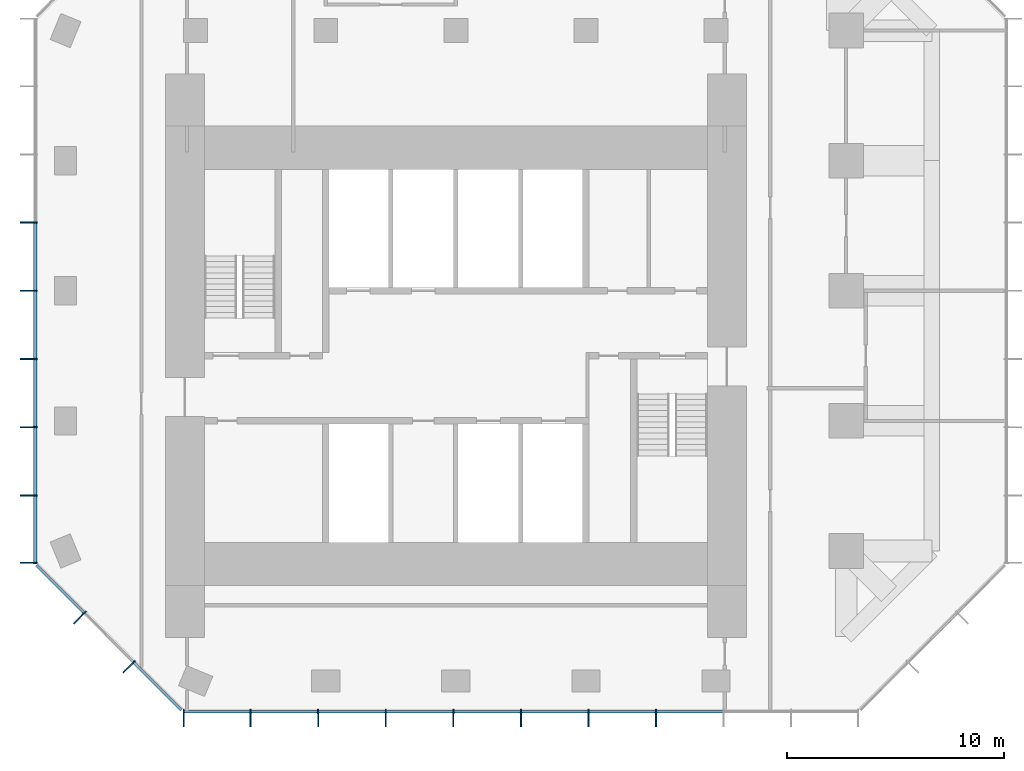
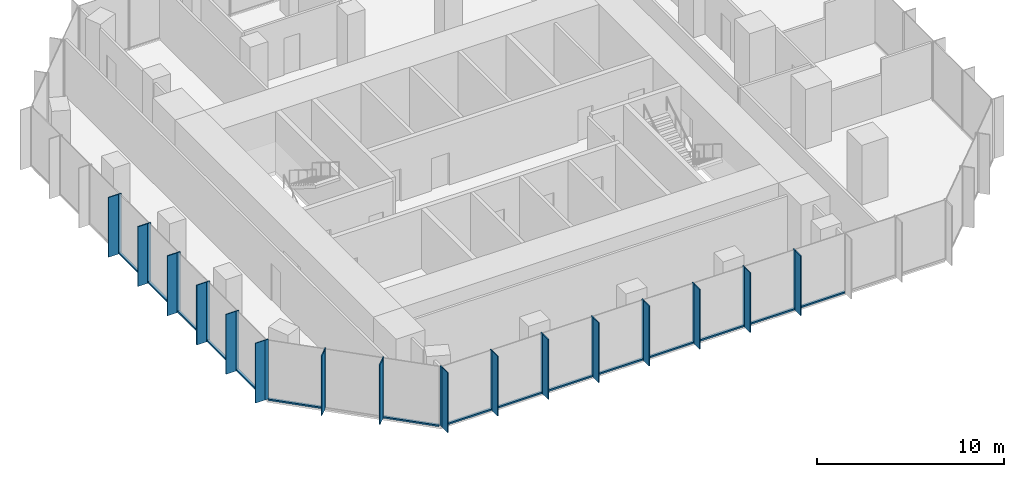
# One storey, part 2 of 10: 47 members, 3 elements without a shape of their own.
"""IFC4 building model written with IfcOpenShell, lengths in metres."""

from ifc_helpers import new_model, si_unit, direction, frame, origin, origin_2d, place, context, subcontext, project, spatial, rectangle, extrude, material, layer, layer_set, material_profile, profile_set, type_object, element, aggregate, save


model = new_model("IFC4")

# Units and contexts
model_context = context("Model", 3, precision=1e-05, world=origin(), true_north=direction((0.0, 1.0)))
body_context = subcontext(model_context, "Body", "Model", "MODEL_VIEW")
ifc_project = project(units=[si_unit("LENGTHUNIT", "METRE"), si_unit("AREAUNIT", "SQUARE_METRE"), si_unit("VOLUMEUNIT", "CUBIC_METRE"), si_unit("PLANEANGLEUNIT", "RADIAN"), si_unit("MASSUNIT", "GRAM", prefix="KILO")], contexts=[model_context])

# Site, building, storey
site_placement = place(None, origin())
site = spatial("IfcSite", under=ifc_project, at=site_placement, CompositionType="ELEMENT")
building_placement = place(site_placement, origin())
building = spatial("IfcBuilding", under=site, at=building_placement, Name="Highveld Stack Headquarters", CompositionType="ELEMENT")
storey_placement = place(building_placement, frame((0.0, 0.0, 256.699951171875)))
storey = spatial("IfcBuildingStorey", under=building, at=storey_placement, Name="L63", CompositionType="ELEMENT", Elevation=256.699951171875)

# Curtain wall, members
ifc_material_1 = material(Name="Aluminium bronze anodised", Category="aluminium")
ifc_layer = layer(ifc_material_1, 0.199951171875)
ifc_layer_set = layer_set([ifc_layer], Name="Aluminium bronze anodised")
curtain_wall_type = type_object("IfcCurtainWallType", Name="CW5 EXECUTIVE UNITISED CURTAIN WALL", PredefinedType="NOTDEFINED", material=ifc_layer_set)
curtain_wall_1_placement = place(storey_placement, origin())
curtain_wall_1 = element("IfcCurtainWall", 1, at=curtain_wall_1_placement, inside=storey, type_object=curtain_wall_type, Name="Curtain wall CW5 L63 S", PredefinedType="NOTDEFINED")
ifc_material_2 = material(Name="Aluminium bronze anodised", Category="aluminium")
ifc_material_profile_1 = material_profile(ifc_material_2, rectangle(XDim=0.60009765625, YDim=0.06005859375, at=origin_2d()), Name="FIN 600x60")
ifc_profile_set_1 = profile_set([ifc_material_profile_1], Name="Aluminium bronze anodised")
member_type_1 = type_object("IfcMemberType", Name="CW5 BRONZE FIN 600x60", PredefinedType="USERDEFINED", material=ifc_profile_set_1)
member_1_placement = place(storey_placement, frame((-6.54736328125, -13.800048828125, 0.0), z_axis=(0.0, 0.0, 1.0), x_axis=(0.0, 1.0, 0.0)))
member_1 = element("IfcMember", 2, at=member_1_placement, type_object=member_type_1, Name="CW5 fin L63 1", ObjectType="FIN", PredefinedType="USERDEFINED", context=body_context, shape_type="SweptSolid", body=[
    extrude(rectangle(XDim=0.60009765625, YDim=0.06005859375, at=origin_2d()), origin(), (0.0, 0.0, 1.0), 3.900146484375),
])
member_2_placement = place(storey_placement, frame((-3.4638671875, -13.800048828125, 0.0), z_axis=(0.0, 0.0, 1.0), x_axis=(0.0, 1.0, 0.0)))
member_2 = element("IfcMember", 3, at=member_2_placement, type_object=member_type_1, Name="CW5 fin L63 2", ObjectType="FIN", PredefinedType="USERDEFINED", context=body_context, shape_type="SweptSolid", body=[
    extrude(rectangle(XDim=0.60009765625, YDim=0.06005859375, at=origin_2d()), origin(), (0.0, 0.0, 1.0), 3.900146484375),
])
member_3_placement = place(storey_placement, frame((-0.347900390625, -13.800048828125, 0.0), z_axis=(0.0, 0.0, 1.0), x_axis=(0.0, 1.0, 0.0)))
member_3 = element("IfcMember", 4, at=member_3_placement, type_object=member_type_1, Name="CW5 fin L63 3", ObjectType="FIN", PredefinedType="USERDEFINED", context=body_context, shape_type="SweptSolid", body=[
    extrude(rectangle(XDim=0.60009765625, YDim=0.06005859375, at=origin_2d()), origin(), (0.0, 0.0, 1.0), 3.900146484375),
])
member_4_placement = place(storey_placement, frame((2.76806640625, -13.800048828125, 0.0), z_axis=(0.0, 0.0, 1.0), x_axis=(0.0, 1.0, 0.0)))
member_4 = element("IfcMember", 5, at=member_4_placement, type_object=member_type_1, Name="CW5 fin L63 4", ObjectType="FIN", PredefinedType="USERDEFINED", context=body_context, shape_type="SweptSolid", body=[
    extrude(rectangle(XDim=0.60009765625, YDim=0.06005859375, at=origin_2d()), origin(), (0.0, 0.0, 1.0), 3.900146484375),
])
member_5_placement = place(storey_placement, frame((5.884033203125, -13.800048828125, 0.0), z_axis=(0.0, 0.0, 1.0), x_axis=(0.0, 1.0, 0.0)))
member_5 = element("IfcMember", 6, at=member_5_placement, type_object=member_type_1, Name="CW5 fin L63 5", ObjectType="FIN", PredefinedType="USERDEFINED", context=body_context, shape_type="SweptSolid", body=[
    extrude(rectangle(XDim=0.60009765625, YDim=0.06005859375, at=origin_2d()), origin(), (0.0, 0.0, 1.0), 3.900146484375),
])
member_6_placement = place(storey_placement, frame((9.0, -13.800048828125, 0.0), z_axis=(0.0, 0.0, 1.0), x_axis=(0.0, 1.0, 0.0)))
member_6 = element("IfcMember", 7, at=member_6_placement, type_object=member_type_1, Name="CW5 fin L63 6", ObjectType="FIN", PredefinedType="USERDEFINED", context=body_context, shape_type="SweptSolid", body=[
    extrude(rectangle(XDim=0.60009765625, YDim=0.06005859375, at=origin_2d()), origin(), (0.0, 0.0, 1.0), 3.900146484375),
])
member_7_placement = place(storey_placement, frame((12.115966796875, -13.800048828125, 0.0), z_axis=(0.0, 0.0, 1.0), x_axis=(0.0, 1.0, 0.0)))
member_7 = element("IfcMember", 8, at=member_7_placement, type_object=member_type_1, Name="CW5 fin L63 7", ObjectType="FIN", PredefinedType="USERDEFINED", context=body_context, shape_type="SweptSolid", body=[
    extrude(rectangle(XDim=0.60009765625, YDim=0.06005859375, at=origin_2d()), origin(), (0.0, 0.0, 1.0), 3.900146484375),
])
member_8_placement = place(storey_placement, frame((15.23193359375, -13.800048828125, 0.0), z_axis=(0.0, 0.0, 1.0), x_axis=(0.0, 1.0, 0.0)))
member_8 = element("IfcMember", 9, at=member_8_placement, type_object=member_type_1, Name="CW5 fin L63 8", ObjectType="FIN", PredefinedType="USERDEFINED", context=body_context, shape_type="SweptSolid", body=[
    extrude(rectangle(XDim=0.60009765625, YDim=0.06005859375, at=origin_2d()), origin(), (0.0, 0.0, 1.0), 3.900146484375),
])

curtain_wall_2_placement = place(storey_placement, origin())
curtain_wall_2 = element("IfcCurtainWall", 10, at=curtain_wall_2_placement, inside=storey, type_object=curtain_wall_type, Name="Curtain wall CW5 L63 W", PredefinedType="NOTDEFINED")
member_9_placement = place(storey_placement, frame((-13.800048828125, 9.14501953125, 0.0), z_axis=(0.0, 0.0, 1.0), x_axis=(1.0, 0.0, 0.0)))
member_9 = element("IfcMember", 11, at=member_9_placement, type_object=member_type_1, Name="CW5 fin L63 4", ObjectType="FIN", PredefinedType="USERDEFINED", context=body_context, shape_type="SweptSolid", body=[
    extrude(rectangle(XDim=0.60009765625, YDim=0.06005859375, at=origin_2d()), origin(), (0.0, 0.0, 1.0), 3.900146484375),
])
member_10_placement = place(storey_placement, frame((-13.800048828125, 6.0, 0.0), z_axis=(0.0, 0.0, 1.0), x_axis=(1.0, 0.0, 0.0)))
member_10 = element("IfcMember", 12, at=member_10_placement, type_object=member_type_1, Name="CW5 fin L63 5", ObjectType="FIN", PredefinedType="USERDEFINED", context=body_context, shape_type="SweptSolid", body=[
    extrude(rectangle(XDim=0.60009765625, YDim=0.06005859375, at=origin_2d()), origin(), (0.0, 0.0, 1.0), 3.900146484375),
])
member_11_placement = place(storey_placement, frame((-13.800048828125, 2.85498046875, 0.0), z_axis=(0.0, 0.0, 1.0), x_axis=(1.0, 0.0, 0.0)))
member_11 = element("IfcMember", 13, at=member_11_placement, type_object=member_type_1, Name="CW5 fin L63 6", ObjectType="FIN", PredefinedType="USERDEFINED", context=body_context, shape_type="SweptSolid", body=[
    extrude(rectangle(XDim=0.60009765625, YDim=0.06005859375, at=origin_2d()), origin(), (0.0, 0.0, 1.0), 3.900146484375),
])
member_12_placement = place(storey_placement, frame((-13.800048828125, -0.2900390625, 0.0), z_axis=(0.0, 0.0, 1.0), x_axis=(1.0, 0.0, 0.0)))
member_12 = element("IfcMember", 14, at=member_12_placement, type_object=member_type_1, Name="CW5 fin L63 7", ObjectType="FIN", PredefinedType="USERDEFINED", context=body_context, shape_type="SweptSolid", body=[
    extrude(rectangle(XDim=0.60009765625, YDim=0.06005859375, at=origin_2d()), origin(), (0.0, 0.0, 1.0), 3.900146484375),
])
member_13_placement = place(storey_placement, frame((-13.800048828125, -3.434814453125, 0.0), z_axis=(0.0, 0.0, 1.0), x_axis=(1.0, 0.0, 0.0)))
member_13 = element("IfcMember", 15, at=member_13_placement, type_object=member_type_1, Name="CW5 fin L63 8", ObjectType="FIN", PredefinedType="USERDEFINED", context=body_context, shape_type="SweptSolid", body=[
    extrude(rectangle(XDim=0.60009765625, YDim=0.06005859375, at=origin_2d()), origin(), (0.0, 0.0, 1.0), 3.900146484375),
])
member_14_placement = place(storey_placement, frame((-13.800048828125, -6.54736328125, 0.0), z_axis=(0.0, 0.0, 1.0), x_axis=(1.0, 0.0, 0.0)))
member_14 = element("IfcMember", 16, at=member_14_placement, type_object=member_type_1, Name="CW5 fin L63 9", ObjectType="FIN", PredefinedType="USERDEFINED", context=body_context, shape_type="SweptSolid", body=[
    extrude(rectangle(XDim=0.60009765625, YDim=0.06005859375, at=origin_2d()), origin(), (0.0, 0.0, 1.0), 3.900146484375),
])

curtain_wall_3_placement = place(storey_placement, origin())
curtain_wall_3 = element("IfcCurtainWall", 17, at=curtain_wall_3_placement, inside=storey, type_object=curtain_wall_type, Name="Curtain wall CW5 L63 SW", PredefinedType="NOTDEFINED")
member_15_placement = place(storey_placement, frame((-11.409423828125, -9.135986328125, 0.0), z_axis=(0.0, 0.0, 1.0), x_axis=(0.707106781187, 0.707106781187, 0.0)))
member_15 = element("IfcMember", 18, at=member_15_placement, type_object=member_type_1, Name="CW5 fin L63 1", ObjectType="FIN", PredefinedType="USERDEFINED", context=body_context, shape_type="SweptSolid", body=[
    extrude(rectangle(XDim=0.60009765625, YDim=0.06005859375, at=origin_2d()), origin(), (0.0, 0.0, 1.0), 3.900146484375),
])
member_16_placement = place(storey_placement, frame((-9.135986328125, -11.409423828125, 0.0), z_axis=(0.0, 0.0, 1.0), x_axis=(0.707106781187, 0.707106781187, 0.0)))
member_16 = element("IfcMember", 19, at=member_16_placement, type_object=member_type_1, Name="CW5 fin L63 2", ObjectType="FIN", PredefinedType="USERDEFINED", context=body_context, shape_type="SweptSolid", body=[
    extrude(rectangle(XDim=0.60009765625, YDim=0.06005859375, at=origin_2d()), origin(), (0.0, 0.0, 1.0), 3.900146484375),
])

# Member
ifc_material_3 = material(Name="Aluminium bronze anodised", Category="aluminium")
ifc_material_profile_2 = material_profile(ifc_material_3, rectangle(XDim=0.199951171875, YDim=0.06494140625, at=origin_2d()), Name="CW5 MULLION 65x200")
ifc_profile_set_2 = profile_set([ifc_material_profile_2], Name="Aluminium bronze anodised")
member_type_2 = type_object("IfcMemberType", Name="CW5 MULLION 65x200", PredefinedType="MULLION", material=ifc_profile_set_2)
member_17_placement = place(storey_placement, frame((-6.54736328125, -13.39990234375, 0.0), z_axis=(0.0, 0.0, 1.0), x_axis=(0.0, 1.0, 0.0)))
member_17 = element("IfcMember", 20, at=member_17_placement, type_object=member_type_2, Name="CW5 mullion L63 1", PredefinedType="MULLION", context=body_context, shape_type="SweptSolid", body=[
    extrude(rectangle(XDim=0.199951171875, YDim=0.06494140625, at=origin_2d()), origin(), (0.0, 0.0, 1.0), 3.900146484375),
])

member_18_placement = place(storey_placement, frame((-3.4638671875, -13.39990234375, 0.0), z_axis=(0.0, 0.0, 1.0), x_axis=(0.0, 1.0, 0.0)))
member_18 = element("IfcMember", 21, at=member_18_placement, type_object=member_type_2, Name="CW5 mullion L63 2", PredefinedType="MULLION", context=body_context, shape_type="SweptSolid", body=[
    extrude(rectangle(XDim=0.199951171875, YDim=0.06494140625, at=origin_2d()), origin(), (0.0, 0.0, 1.0), 3.900146484375),
])

member_19_placement = place(storey_placement, frame((-0.347900390625, -13.39990234375, 0.0), z_axis=(0.0, 0.0, 1.0), x_axis=(0.0, 1.0, 0.0)))
member_19 = element("IfcMember", 22, at=member_19_placement, type_object=member_type_2, Name="CW5 mullion L63 3", PredefinedType="MULLION", context=body_context, shape_type="SweptSolid", body=[
    extrude(rectangle(XDim=0.199951171875, YDim=0.06494140625, at=origin_2d()), origin(), (0.0, 0.0, 1.0), 3.900146484375),
])

member_20_placement = place(storey_placement, frame((2.76806640625, -13.39990234375, 0.0), z_axis=(0.0, 0.0, 1.0), x_axis=(0.0, 1.0, 0.0)))
member_20 = element("IfcMember", 23, at=member_20_placement, type_object=member_type_2, Name="CW5 mullion L63 4", PredefinedType="MULLION", context=body_context, shape_type="SweptSolid", body=[
    extrude(rectangle(XDim=0.199951171875, YDim=0.06494140625, at=origin_2d()), origin(), (0.0, 0.0, 1.0), 3.900146484375),
])

member_21_placement = place(storey_placement, frame((5.884033203125, -13.39990234375, 0.0), z_axis=(0.0, 0.0, 1.0), x_axis=(0.0, 1.0, 0.0)))
member_21 = element("IfcMember", 24, at=member_21_placement, type_object=member_type_2, Name="CW5 mullion L63 5", PredefinedType="MULLION", context=body_context, shape_type="SweptSolid", body=[
    extrude(rectangle(XDim=0.199951171875, YDim=0.06494140625, at=origin_2d()), origin(), (0.0, 0.0, 1.0), 3.900146484375),
])

member_22_placement = place(storey_placement, frame((9.0, -13.39990234375, 0.0), z_axis=(0.0, 0.0, 1.0), x_axis=(0.0, 1.0, 0.0)))
member_22 = element("IfcMember", 25, at=member_22_placement, type_object=member_type_2, Name="CW5 mullion L63 6", PredefinedType="MULLION", context=body_context, shape_type="SweptSolid", body=[
    extrude(rectangle(XDim=0.199951171875, YDim=0.06494140625, at=origin_2d()), origin(), (0.0, 0.0, 1.0), 3.900146484375),
])

member_23_placement = place(storey_placement, frame((12.115966796875, -13.39990234375, 0.0), z_axis=(0.0, 0.0, 1.0), x_axis=(0.0, 1.0, 0.0)))
member_23 = element("IfcMember", 26, at=member_23_placement, type_object=member_type_2, Name="CW5 mullion L63 7", PredefinedType="MULLION", context=body_context, shape_type="SweptSolid", body=[
    extrude(rectangle(XDim=0.199951171875, YDim=0.06494140625, at=origin_2d()), origin(), (0.0, 0.0, 1.0), 3.900146484375),
])

member_24_placement = place(storey_placement, frame((15.23193359375, -13.39990234375, 0.0), z_axis=(0.0, 0.0, 1.0), x_axis=(0.0, 1.0, 0.0)))
member_24 = element("IfcMember", 27, at=member_24_placement, type_object=member_type_2, Name="CW5 mullion L63 8", PredefinedType="MULLION", context=body_context, shape_type="SweptSolid", body=[
    extrude(rectangle(XDim=0.199951171875, YDim=0.06494140625, at=origin_2d()), origin(), (0.0, 0.0, 1.0), 3.900146484375),
])

member_25_placement = place(storey_placement, frame((-13.39990234375, 9.14501953125, 0.0), z_axis=(0.0, 0.0, 1.0), x_axis=(1.0, 0.0, 0.0)))
member_25 = element("IfcMember", 28, at=member_25_placement, type_object=member_type_2, Name="CW5 mullion L63 4", PredefinedType="MULLION", context=body_context, shape_type="SweptSolid", body=[
    extrude(rectangle(XDim=0.199951171875, YDim=0.06494140625, at=origin_2d()), origin(), (0.0, 0.0, 1.0), 3.900146484375),
])

member_26_placement = place(storey_placement, frame((-13.39990234375, 6.0, 0.0), z_axis=(0.0, 0.0, 1.0), x_axis=(1.0, 0.0, 0.0)))
member_26 = element("IfcMember", 29, at=member_26_placement, type_object=member_type_2, Name="CW5 mullion L63 5", PredefinedType="MULLION", context=body_context, shape_type="SweptSolid", body=[
    extrude(rectangle(XDim=0.199951171875, YDim=0.06494140625, at=origin_2d()), origin(), (0.0, 0.0, 1.0), 3.900146484375),
])

member_27_placement = place(storey_placement, frame((-13.39990234375, 2.85498046875, 0.0), z_axis=(0.0, 0.0, 1.0), x_axis=(1.0, 0.0, 0.0)))
member_27 = element("IfcMember", 30, at=member_27_placement, type_object=member_type_2, Name="CW5 mullion L63 6", PredefinedType="MULLION", context=body_context, shape_type="SweptSolid", body=[
    extrude(rectangle(XDim=0.199951171875, YDim=0.06494140625, at=origin_2d()), origin(), (0.0, 0.0, 1.0), 3.900146484375),
])

member_28_placement = place(storey_placement, frame((-13.39990234375, -0.2900390625, 0.0), z_axis=(0.0, 0.0, 1.0), x_axis=(1.0, 0.0, 0.0)))
member_28 = element("IfcMember", 31, at=member_28_placement, type_object=member_type_2, Name="CW5 mullion L63 7", PredefinedType="MULLION", context=body_context, shape_type="SweptSolid", body=[
    extrude(rectangle(XDim=0.199951171875, YDim=0.06494140625, at=origin_2d()), origin(), (0.0, 0.0, 1.0), 3.900146484375),
])

member_29_placement = place(storey_placement, frame((-13.39990234375, -3.434814453125, 0.0), z_axis=(0.0, 0.0, 1.0), x_axis=(1.0, 0.0, 0.0)))
member_29 = element("IfcMember", 32, at=member_29_placement, type_object=member_type_2, Name="CW5 mullion L63 8", PredefinedType="MULLION", context=body_context, shape_type="SweptSolid", body=[
    extrude(rectangle(XDim=0.199951171875, YDim=0.06494140625, at=origin_2d()), origin(), (0.0, 0.0, 1.0), 3.900146484375),
])

member_30_placement = place(storey_placement, frame((-13.39990234375, -6.54736328125, 0.0), z_axis=(0.0, 0.0, 1.0), x_axis=(1.0, 0.0, 0.0)))
member_30 = element("IfcMember", 33, at=member_30_placement, type_object=member_type_2, Name="CW5 mullion L63 9", PredefinedType="MULLION", context=body_context, shape_type="SweptSolid", body=[
    extrude(rectangle(XDim=0.199951171875, YDim=0.06494140625, at=origin_2d()), origin(), (0.0, 0.0, 1.0), 3.900146484375),
])

member_31_placement = place(storey_placement, frame((-11.126708984375, -8.853271484375, 0.0), z_axis=(0.0, 0.0, 1.0), x_axis=(0.707106781187, 0.707106781187, 0.0)))
member_31 = element("IfcMember", 34, at=member_31_placement, type_object=member_type_2, Name="CW5 mullion L63 1", PredefinedType="MULLION", context=body_context, shape_type="SweptSolid", body=[
    extrude(rectangle(XDim=0.199951171875, YDim=0.06494140625, at=origin_2d()), origin(), (0.0, 0.0, 1.0), 3.900146484375),
])

member_32_placement = place(storey_placement, frame((-8.853271484375, -11.126708984375, 0.0), z_axis=(0.0, 0.0, 1.0), x_axis=(0.707106781187, 0.707106781187, 0.0)))
member_32 = element("IfcMember", 35, at=member_32_placement, type_object=member_type_2, Name="CW5 mullion L63 2", PredefinedType="MULLION", context=body_context, shape_type="SweptSolid", body=[
    extrude(rectangle(XDim=0.199951171875, YDim=0.06494140625, at=origin_2d()), origin(), (0.0, 0.0, 1.0), 3.900146484375),
])

ifc_material_4 = material(Name="Aluminium bronze anodised", Category="aluminium")
ifc_material_profile_3 = material_profile(ifc_material_4, rectangle(XDim=0.14990234375, YDim=0.10009765625, at=origin_2d()), Name="CW5 TRANSOM 150x100")
ifc_profile_set_3 = profile_set([ifc_material_profile_3], Name="Aluminium bronze anodised")
member_type_3 = type_object("IfcMemberType", Name="CW5 STACK TRANSOM 150x100", PredefinedType="USERDEFINED", material=ifc_profile_set_3)
member_33_placement = place(storey_placement, frame((-6.514892578125, -13.39990234375, 0.050048828125), z_axis=(1.0, 0.0, 0.0), x_axis=(0.0, 1.0, 0.0)))
member_33 = element("IfcMember", 36, at=member_33_placement, type_object=member_type_3, Name="CW5 transom L63 1.1", ObjectType="TRANSOM", PredefinedType="USERDEFINED", context=body_context, shape_type="SweptSolid", body=[
    extrude(rectangle(XDim=0.14990234375, YDim=0.10009765625, at=origin_2d()), origin(), (0.0, 0.0, 1.0), 3.0185546875),
])

member_34_placement = place(storey_placement, frame((-3.431396484375, -13.39990234375, 0.050048828125), z_axis=(1.0, 0.0, 0.0), x_axis=(0.0, 1.0, 0.0)))
member_34 = element("IfcMember", 37, at=member_34_placement, type_object=member_type_3, Name="CW5 transom L63 2.1", ObjectType="TRANSOM", PredefinedType="USERDEFINED", context=body_context, shape_type="SweptSolid", body=[
    extrude(rectangle(XDim=0.14990234375, YDim=0.10009765625, at=origin_2d()), origin(), (0.0, 0.0, 1.0), 3.051025390625),
])

member_35_placement = place(storey_placement, frame((-0.3154296875, -13.39990234375, 0.050048828125), z_axis=(1.0, 0.0, 0.0), x_axis=(0.0, 1.0, 0.0)))
member_35 = element("IfcMember", 38, at=member_35_placement, type_object=member_type_3, Name="CW5 transom L63 3.1", ObjectType="TRANSOM", PredefinedType="USERDEFINED", context=body_context, shape_type="SweptSolid", body=[
    extrude(rectangle(XDim=0.14990234375, YDim=0.10009765625, at=origin_2d()), origin(), (0.0, 0.0, 1.0), 3.051025390625),
])

member_36_placement = place(storey_placement, frame((2.800537109375, -13.39990234375, 0.050048828125), z_axis=(1.0, 0.0, 0.0), x_axis=(0.0, 1.0, 0.0)))
member_36 = element("IfcMember", 39, at=member_36_placement, type_object=member_type_3, Name="CW5 transom L63 4.1", ObjectType="TRANSOM", PredefinedType="USERDEFINED", context=body_context, shape_type="SweptSolid", body=[
    extrude(rectangle(XDim=0.14990234375, YDim=0.10009765625, at=origin_2d()), origin(), (0.0, 0.0, 1.0), 3.051025390625),
])

member_37_placement = place(storey_placement, frame((5.91650390625, -13.39990234375, 0.050048828125), z_axis=(1.0, 0.0, 0.0), x_axis=(0.0, 1.0, 0.0)))
member_37 = element("IfcMember", 40, at=member_37_placement, type_object=member_type_3, Name="CW5 transom L63 5.1", ObjectType="TRANSOM", PredefinedType="USERDEFINED", context=body_context, shape_type="SweptSolid", body=[
    extrude(rectangle(XDim=0.14990234375, YDim=0.10009765625, at=origin_2d()), origin(), (0.0, 0.0, 1.0), 3.051025390625),
])

member_38_placement = place(storey_placement, frame((9.032470703125, -13.39990234375, 0.050048828125), z_axis=(1.0, 0.0, 0.0), x_axis=(0.0, 1.0, 0.0)))
member_38 = element("IfcMember", 41, at=member_38_placement, type_object=member_type_3, Name="CW5 transom L63 6.1", ObjectType="TRANSOM", PredefinedType="USERDEFINED", context=body_context, shape_type="SweptSolid", body=[
    extrude(rectangle(XDim=0.14990234375, YDim=0.10009765625, at=origin_2d()), origin(), (0.0, 0.0, 1.0), 3.051025390625),
])

member_39_placement = place(storey_placement, frame((12.1484375, -13.39990234375, 0.050048828125), z_axis=(1.0, 0.0, 0.0), x_axis=(0.0, 1.0, 0.0)))
member_39 = element("IfcMember", 42, at=member_39_placement, type_object=member_type_3, Name="CW5 transom L63 7.1", ObjectType="TRANSOM", PredefinedType="USERDEFINED", context=body_context, shape_type="SweptSolid", body=[
    extrude(rectangle(XDim=0.14990234375, YDim=0.10009765625, at=origin_2d()), origin(), (0.0, 0.0, 1.0), 3.051025390625),
])

member_40_placement = place(storey_placement, frame((15.264404296875, -13.39990234375, 0.050048828125), z_axis=(1.0, 0.0, 0.0), x_axis=(0.0, 1.0, 0.0)))
member_40 = element("IfcMember", 43, at=member_40_placement, type_object=member_type_3, Name="CW5 transom L63 8.1", ObjectType="TRANSOM", PredefinedType="USERDEFINED", context=body_context, shape_type="SweptSolid", body=[
    extrude(rectangle(XDim=0.14990234375, YDim=0.10009765625, at=origin_2d()), origin(), (0.0, 0.0, 1.0), 3.051025390625),
])

aggregate(curtain_wall_1, [member_17, member_1, member_18, member_2, member_19, member_3, member_20, member_4, member_21, member_5, member_22, member_6, member_23, member_7, member_24, member_8, member_33, member_34, member_35, member_36, member_37, member_38, member_39, member_40])

member_41_placement = place(storey_placement, frame((-13.39990234375, 9.112548828125, 0.050048828125), z_axis=(0.0, -1.0, 0.0), x_axis=(1.0, 0.0, 0.0)))
member_41 = element("IfcMember", 44, at=member_41_placement, type_object=member_type_3, Name="CW5 transom L63 4.1", ObjectType="TRANSOM", PredefinedType="USERDEFINED", context=body_context, shape_type="SweptSolid", body=[
    extrude(rectangle(XDim=0.14990234375, YDim=0.10009765625, at=origin_2d()), origin(), (0.0, 0.0, 1.0), 3.080078125),
])

member_42_placement = place(storey_placement, frame((-13.39990234375, 5.967529296875, 0.050048828125), z_axis=(0.0, -1.0, 0.0), x_axis=(1.0, 0.0, 0.0)))
member_42 = element("IfcMember", 45, at=member_42_placement, type_object=member_type_3, Name="CW5 transom L63 5.1", ObjectType="TRANSOM", PredefinedType="USERDEFINED", context=body_context, shape_type="SweptSolid", body=[
    extrude(rectangle(XDim=0.14990234375, YDim=0.10009765625, at=origin_2d()), origin(), (0.0, 0.0, 1.0), 3.080078125),
])

member_43_placement = place(storey_placement, frame((-13.39990234375, 2.822509765625, 0.050048828125), z_axis=(0.0, -1.0, 0.0), x_axis=(1.0, 0.0, 0.0)))
member_43 = element("IfcMember", 46, at=member_43_placement, type_object=member_type_3, Name="CW5 transom L63 6.1", ObjectType="TRANSOM", PredefinedType="USERDEFINED", context=body_context, shape_type="SweptSolid", body=[
    extrude(rectangle(XDim=0.14990234375, YDim=0.10009765625, at=origin_2d()), origin(), (0.0, 0.0, 1.0), 3.080078125),
])

member_44_placement = place(storey_placement, frame((-13.39990234375, -0.322509765625, 0.050048828125), z_axis=(0.0, -1.0, 0.0), x_axis=(1.0, 0.0, 0.0)))
member_44 = element("IfcMember", 47, at=member_44_placement, type_object=member_type_3, Name="CW5 transom L63 7.1", ObjectType="TRANSOM", PredefinedType="USERDEFINED", context=body_context, shape_type="SweptSolid", body=[
    extrude(rectangle(XDim=0.14990234375, YDim=0.10009765625, at=origin_2d()), origin(), (0.0, 0.0, 1.0), 3.079833984375),
])

member_45_placement = place(storey_placement, frame((-13.39990234375, -3.46728515625, 0.050048828125), z_axis=(0.0, -1.0, 0.0), x_axis=(1.0, 0.0, 0.0)))
member_45 = element("IfcMember", 48, at=member_45_placement, type_object=member_type_3, Name="CW5 transom L63 8.1", ObjectType="TRANSOM", PredefinedType="USERDEFINED", context=body_context, shape_type="SweptSolid", body=[
    extrude(rectangle(XDim=0.14990234375, YDim=0.10009765625, at=origin_2d()), origin(), (0.0, 0.0, 1.0), 3.047607421875),
])

aggregate(curtain_wall_2, [member_25, member_9, member_26, member_10, member_27, member_11, member_28, member_12, member_29, member_13, member_30, member_14, member_41, member_42, member_43, member_44, member_45])

member_46_placement = place(storey_placement, frame((-13.329345703125, -6.650634765625, 0.050048828125), z_axis=(0.707106781187, -0.707106781187, 0.0), x_axis=(0.707106781187, 0.707106781187, 0.0)))
member_46 = element("IfcMember", 49, at=member_46_placement, type_object=member_type_3, Name="CW5 transom L63 1.1", ObjectType="TRANSOM", PredefinedType="USERDEFINED", context=body_context, shape_type="SweptSolid", body=[
    extrude(rectangle(XDim=0.14990234375, YDim=0.10009765625, at=origin_2d()), origin(), (0.0, 0.0, 1.0), 3.08251953125),
])

member_47_placement = place(storey_placement, frame((-8.830322265625, -11.149658203125, 0.050048828125), z_axis=(0.707106781187, -0.707106781187, 0.0), x_axis=(0.707106781187, 0.707106781187, 0.0)))
member_47 = element("IfcMember", 50, at=member_47_placement, type_object=member_type_3, Name="CW5 transom L63 3.1", ObjectType="TRANSOM", PredefinedType="USERDEFINED", context=body_context, shape_type="SweptSolid", body=[
    extrude(rectangle(XDim=0.14990234375, YDim=0.10009765625, at=origin_2d()), origin(), (0.0, 0.0, 1.0), 3.08251953125),
])

aggregate(curtain_wall_3, [member_31, member_15, member_32, member_16, member_46, member_47])

save(model, "model.ifc")
